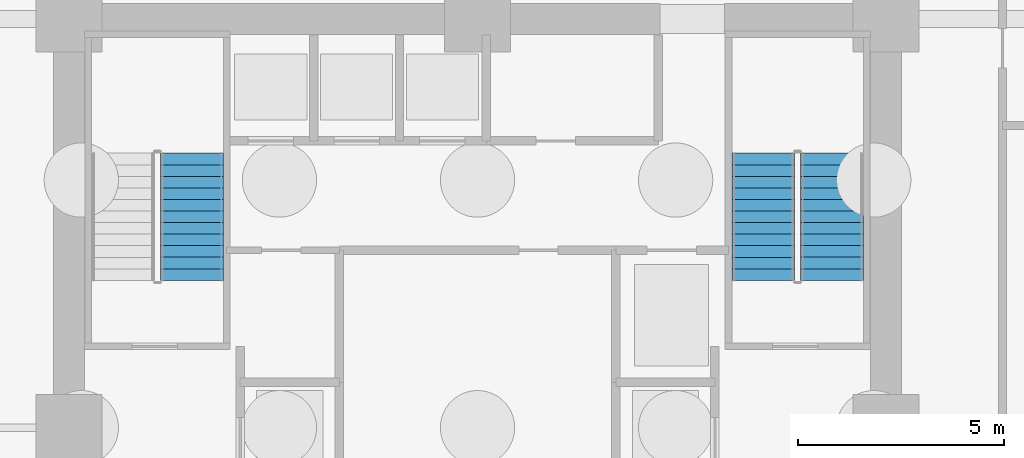
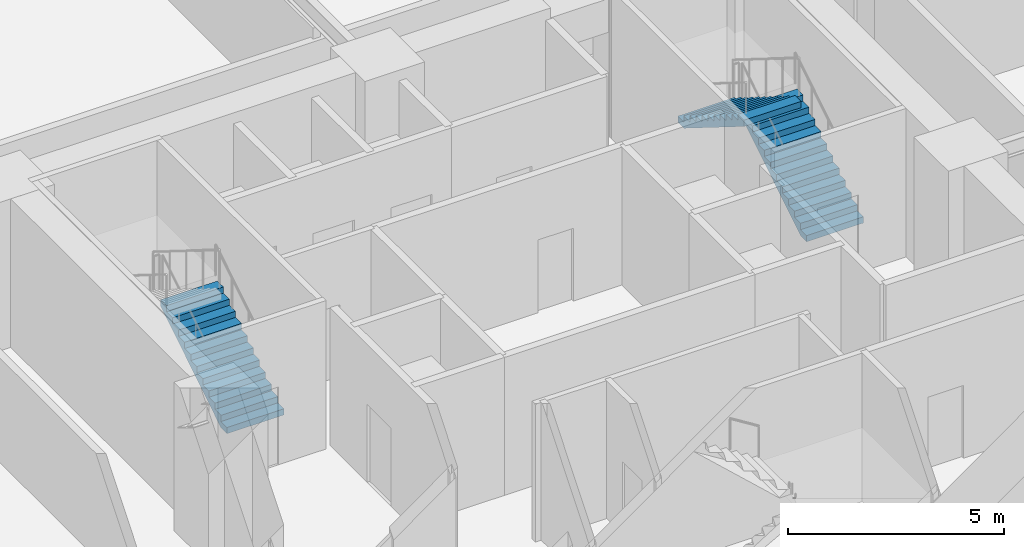
# One storey, part 6 of 8: 3 stair flights, 2 elements without a shape of their own.
"""IFC4 building model written with IfcOpenShell, lengths in metres."""

from ifc_helpers import new_model, si_unit, direction, frame, origin, place, context, subcontext, project, spatial, polyline, outline, extrude, material, type_object, element, aggregate, save


model = new_model("IFC4")

# Units and contexts
model_context = context("Model", 3, precision=1e-05, world=origin(), true_north=direction((0.0, 1.0)))
body_context = subcontext(model_context, "Body", "Model", "MODEL_VIEW")
ifc_project = project(units=[si_unit("LENGTHUNIT", "METRE"), si_unit("AREAUNIT", "SQUARE_METRE"), si_unit("VOLUMEUNIT", "CUBIC_METRE"), si_unit("PLANEANGLEUNIT", "RADIAN"), si_unit("MASSUNIT", "GRAM", prefix="KILO")], contexts=[model_context])

# Site, building, storey
site_placement = place(None, origin())
site = spatial("IfcSite", under=ifc_project, at=site_placement, CompositionType="ELEMENT")
building_placement = place(site_placement, origin())
building = spatial("IfcBuilding", under=site, at=building_placement, Name="Kolvaren Belvedere", CompositionType="ELEMENT")
storey_placement = place(building_placement, frame((0.0, 0.0, -12.60009765625)))
storey = spatial("IfcBuildingStorey", under=building, at=storey_placement, Name="B03", CompositionType="ELEMENT", Elevation=-12.60009765625)

# Stair, stair flight
ifc_material_1 = material(Name="Concrete C50/60", Category="concrete")
stair_type = type_object("IfcStairType", Name="ST-CORE-1520", PredefinedType="HALF_TURN_STAIR", material=ifc_material_1)
stair_1_placement = place(storey_placement, origin())
stair_1 = element("IfcStair", 1, at=stair_1_placement, inside=storey, type_object=stair_type, Name="B03 Protected Exit Stair ST-1", PredefinedType="HALF_TURN_STAIR")
ifc_material_2 = material(Name="Concrete C50/60", Category="concrete")
stair_flight_type = type_object("IfcStairFlightType", Name="SF-STR-1520", PredefinedType="STRAIGHT", material=ifc_material_2)
stair_flight_1_placement = place(storey_placement, frame((-6.919921875, 3.570068359375, 0.0), z_axis=(0.0, 0.0, 1.0), x_axis=(0.0, 1.0, 0.0)))
stair_flight_1 = element("IfcStairFlight", 2, at=stair_flight_1_placement, type_object=stair_flight_type, Name="ST-1 flight 1", NumberOfRisers=12, NumberOfTreads=11, PredefinedType="STRAIGHT", RiserHeight=0.175, TreadLength=0.28, context=body_context, shape_type="SweptSolid", body=[
    extrude(outline(polyline([(0.0, 0.0), (0.0, 0.175048828125), (0.280029296875, 0.175048828125), (0.280029296875, 0.35009765625), (0.56005859375, 0.35009765625), (0.56005859375, 0.52490234375), (0.840087890625, 0.52490234375), (0.840087890625, 0.699951171875), (1.1201171875, 0.699951171875), (1.1201171875, 0.875), (1.39990234375, 0.875), (1.39990234375, 1.050048828125), (1.679931640625, 1.050048828125), (1.679931640625, 1.22509765625), (1.9599609375, 1.22509765625), (1.9599609375, 1.39990234375), (2.239990234375, 1.39990234375), (2.239990234375, 1.574951171875), (2.52001953125, 1.574951171875), (2.52001953125, 1.75), (2.800048828125, 1.75), (2.800048828125, 1.925048828125), (3.080078125, 1.925048828125), (3.080078125, 2.10009765625), (3.080078125, 1.748291015625), (0.28271484375, 0.0), (0.0, 0.0)])), frame((0.0, 0.760009765625, 0.0), z_axis=(0.0, -1.0, 0.0), x_axis=(1.0, 0.0, 0.0)), (0.0, 0.0, 1.0), 1.52001953125),
])
aggregate(stair_1, [stair_flight_1])

# Stair, stair flights
stair_2_placement = place(storey_placement, origin())
stair_2 = element("IfcStair", 3, at=stair_2_placement, inside=storey, type_object=stair_type, Name="B03 Protected Exit Stair ST-2", PredefinedType="HALF_TURN_STAIR")
stair_flight_2_placement = place(storey_placement, frame((8.590087890625, 3.570068359375, 0.0), z_axis=(0.0, 0.0, 1.0), x_axis=(0.0, 1.0, 0.0)))
stair_flight_2 = element("IfcStairFlight", 4, at=stair_flight_2_placement, type_object=stair_flight_type, Name="ST-2 flight 1", NumberOfRisers=12, NumberOfTreads=11, PredefinedType="STRAIGHT", RiserHeight=0.175, TreadLength=0.28, context=body_context, shape_type="SweptSolid", body=[
    extrude(outline(polyline([(0.0, 0.0), (0.0, 0.175048828125), (0.280029296875, 0.175048828125), (0.280029296875, 0.35009765625), (0.56005859375, 0.35009765625), (0.56005859375, 0.52490234375), (0.840087890625, 0.52490234375), (0.840087890625, 0.699951171875), (1.1201171875, 0.699951171875), (1.1201171875, 0.875), (1.39990234375, 0.875), (1.39990234375, 1.050048828125), (1.679931640625, 1.050048828125), (1.679931640625, 1.22509765625), (1.9599609375, 1.22509765625), (1.9599609375, 1.39990234375), (2.239990234375, 1.39990234375), (2.239990234375, 1.574951171875), (2.52001953125, 1.574951171875), (2.52001953125, 1.75), (2.800048828125, 1.75), (2.800048828125, 1.925048828125), (3.080078125, 1.925048828125), (3.080078125, 2.10009765625), (3.080078125, 1.748291015625), (0.28271484375, 0.0), (0.0, 0.0)])), frame((0.0, 0.760009765625, 0.0), z_axis=(0.0, -1.0, 0.0), x_axis=(1.0, 0.0, 0.0)), (0.0, 0.0, 1.0), 1.52001953125),
])
stair_flight_3_placement = place(storey_placement, frame((6.919921875, 6.64990234375, 2.10009765625), z_axis=(0.0, 0.0, 1.0), x_axis=(0.0, -1.0, 0.0)))
stair_flight_3 = element("IfcStairFlight", 5, at=stair_flight_3_placement, type_object=stair_flight_type, Name="ST-2 flight 2", NumberOfRisers=12, NumberOfTreads=11, PredefinedType="STRAIGHT", RiserHeight=0.175, TreadLength=0.28, context=body_context, shape_type="SweptSolid", body=[
    extrude(outline(polyline([(0.0, 0.0), (0.0, 0.175048828125), (0.280029296875, 0.175048828125), (0.280029296875, 0.35009765625), (0.56005859375, 0.35009765625), (0.56005859375, 0.52490234375), (0.840087890625, 0.52490234375), (0.840087890625, 0.699951171875), (1.1201171875, 0.699951171875), (1.1201171875, 0.875), (1.39990234375, 0.875), (1.39990234375, 1.050048828125), (1.679931640625, 1.050048828125), (1.679931640625, 1.22509765625), (1.9599609375, 1.22509765625), (1.9599609375, 1.39990234375), (2.239990234375, 1.39990234375), (2.239990234375, 1.574951171875), (2.52001953125, 1.574951171875), (2.52001953125, 1.75), (2.800048828125, 1.75), (2.800048828125, 1.925048828125), (3.080078125, 1.925048828125), (3.080078125, 2.10009765625), (3.080078125, 1.748291015625), (0.28271484375, 0.0), (0.0, 0.0)])), frame((0.0, 0.760009765625, 0.0), z_axis=(0.0, -1.0, 0.0), x_axis=(1.0, 0.0, 0.0)), (0.0, 0.0, 1.0), 1.52001953125),
])
aggregate(stair_2, [stair_flight_2, stair_flight_3])

save(model, "model.ifc")
